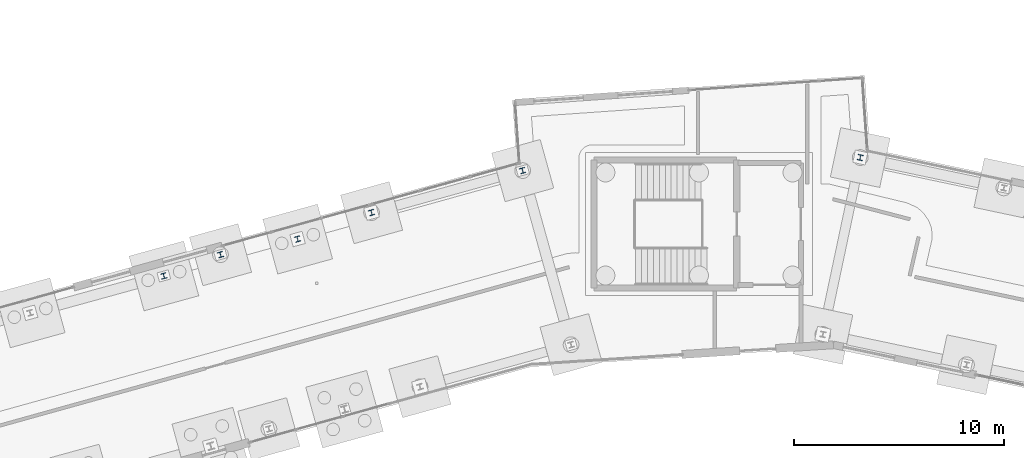
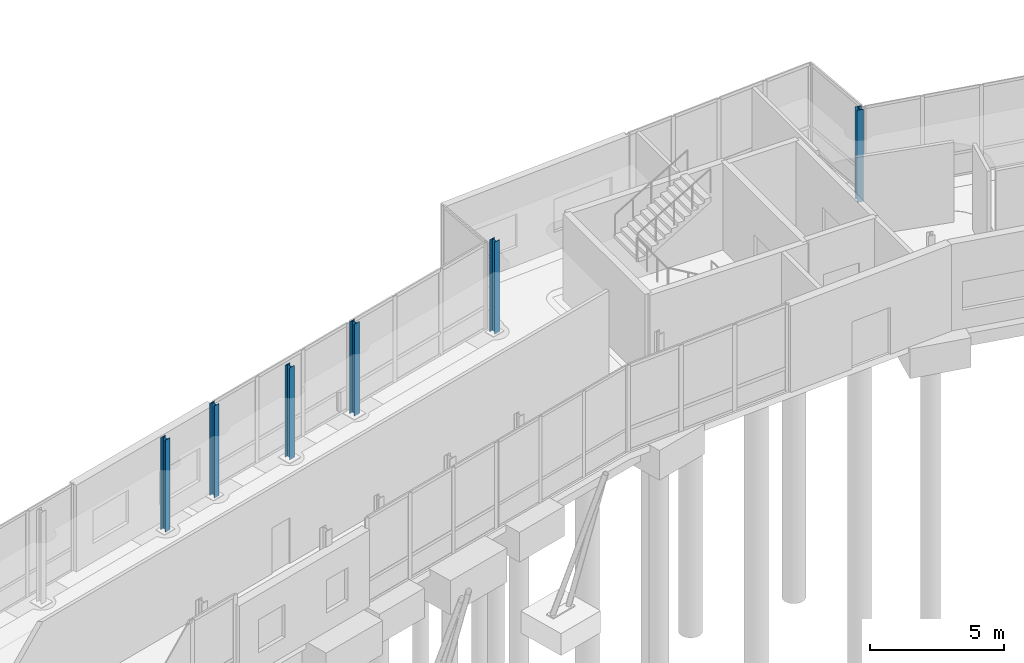
# One storey, part 10 of 113: 6 columns.
"""IFC4 building model written with IfcOpenShell, lengths in metres."""

from ifc_helpers import new_model, si_unit, direction, frame, origin, origin_2d, place, context, subcontext, project, spatial, i_section, extrude, material, material_profile, profile_set, type_object, element, save


model = new_model("IFC4")

# Units and contexts
model_context = context("Model", 3, precision=1e-05, world=origin(), true_north=direction((0.0, 1.0)))
body_context = subcontext(model_context, "Body", "Model", "MODEL_VIEW")
ifc_project = project(units=[si_unit("LENGTHUNIT", "METRE"), si_unit("AREAUNIT", "SQUARE_METRE"), si_unit("VOLUMEUNIT", "CUBIC_METRE"), si_unit("PLANEANGLEUNIT", "RADIAN"), si_unit("MASSUNIT", "GRAM", prefix="KILO")], contexts=[model_context])

# Site, building, storey
site_placement = place(None, origin())
site = spatial("IfcSite", under=ifc_project, at=site_placement, CompositionType="ELEMENT")
building_placement = place(site_placement, origin())
building = spatial("IfcBuilding", under=site, at=building_placement, Name="Wrenclough Park School", CompositionType="ELEMENT")
storey_placement = place(building_placement, origin())
storey = spatial("IfcBuildingStorey", under=building, at=storey_placement, Name="L00", CompositionType="ELEMENT", Elevation=0.0)

# Columns
ifc_material = material(Name="Structural steel S355", Category="steel")
ifc_material_profile = material_profile(ifc_material, i_section(OverallWidth=0.254638671875, OverallDepth=0.254150390625, WebThickness=0.008544921875, FlangeThickness=0.01416015625, FilletRadius=0.0126953125, at=origin_2d()), Name="UKC 254x254x73")
ifc_profile_set = profile_set([ifc_material_profile], Name="Structural steel S355")
column_type = type_object("IfcColumnType", Name="STR-COL-UKC254A", PredefinedType="COLUMN", material=ifc_profile_set)
for number, where, z_axis, x_axis, name in (
    (1, (68.591064453125, 36.6298828125, 0.0), (0.0, 0.0, 1.0), (0.964002648928, 0.265892634084, 0.0), "W12 L00 column EAVE-ENTRANCE-B3"),
    (2, (74.95361328125, 38.384765625, 0.0), (0.0, 0.0, 1.0), (0.964002648928, 0.265892634084, 0.0), "W12 L00 column EAVE-ENTRANCE-B4"),
    (3, (71.284912109375, 37.642578125, 0.0), (0.0, 0.0, 1.0), (0.963396876837, 0.268079200424, 0.0), "W12 L00 column W12-C1-L05"),
    (4, (78.472412109375, 39.642578125, 0.0), (0.0, 0.0, 1.0), (0.963396876837, 0.268079200424, 0.0), "W12 L00 column W12-C1-L06"),
    (5, (85.659912109375, 41.642578125, 0.0), (0.0, 0.0, 1.0), (0.963396876837, 0.268079200424, 0.0), "W12 L00 column W12-C1-L07"),
    (6, (101.72265625, 42.2626953125, 0.0), (0.0, 0.0, 1.0), (0.978364788978, -0.206887263232, 0.0), "W12 L00 column W12-C2-L01"),
):
    element("IfcColumn", number, at=place(storey_placement, frame(where, z_axis=z_axis, x_axis=x_axis)), inside=storey, type_object=column_type, Name=name, PredefinedType="COLUMN", context=body_context, shape_type="SweptSolid", body=[
        extrude(i_section(OverallWidth=0.254638671875, OverallDepth=0.254150390625, WebThickness=0.008544921875, FlangeThickness=0.01416015625, FilletRadius=0.0126953125, at=origin_2d()), origin(), (0.0, 0.0, 1.0), 4.199951171875),
    ])

save(model, "model.ifc")
